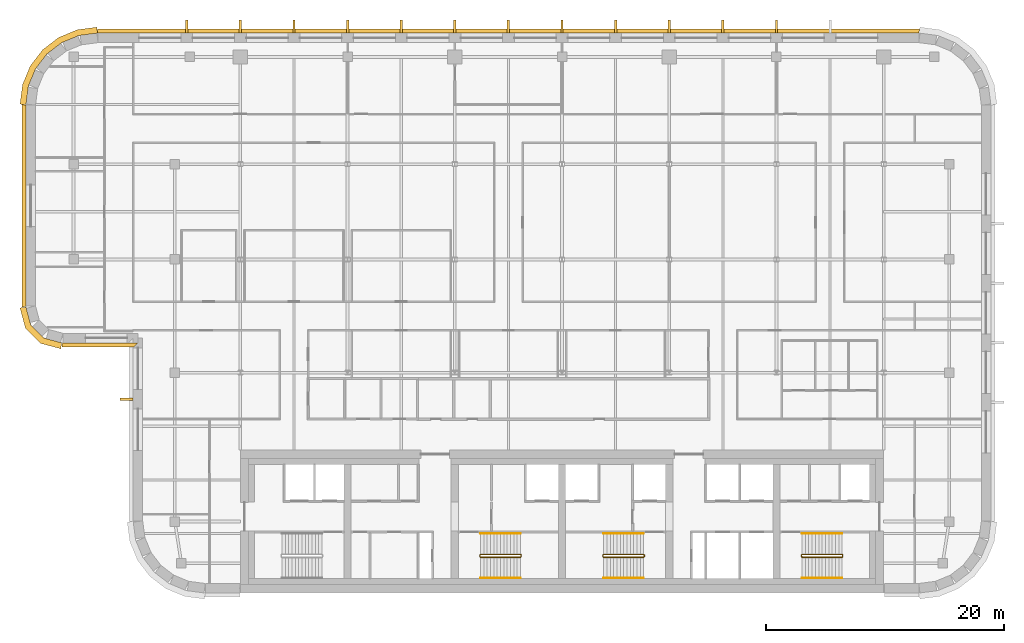
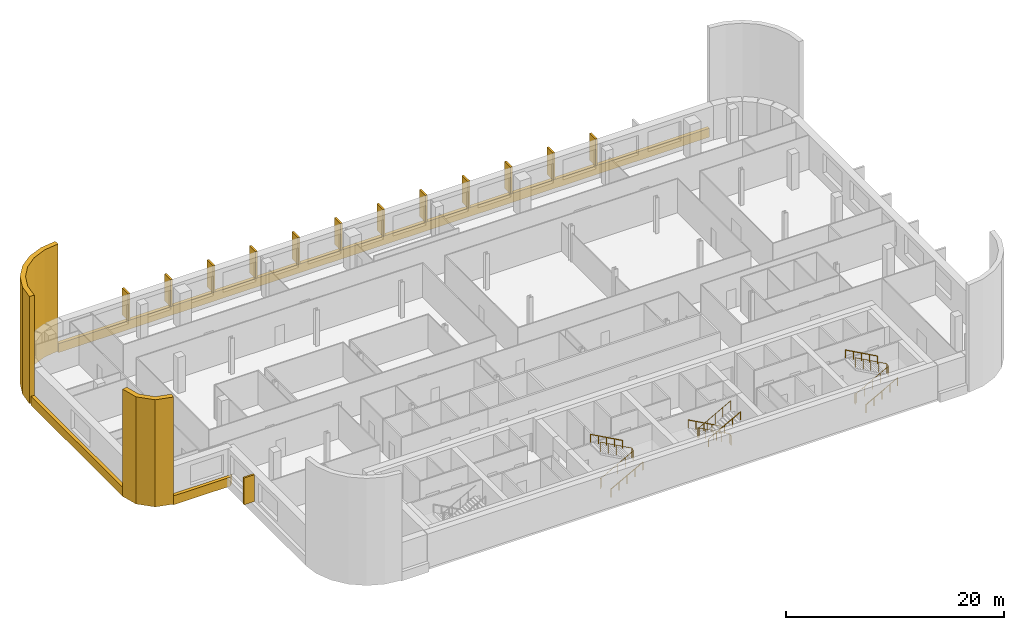
# One storey, part 15 of 17: 18 coverings, 9 railings.
"""IFC4 building model written with IfcOpenShell, lengths in metres."""

from ifc_helpers import new_model, si_unit, direction, frame, origin, origin_2d, place, context, subcontext, project, spatial, polyline, circle, outline, extrude, material, layer, layer_set, type_object, element, save


model = new_model("IFC4")

# Units and contexts
model_context = context("Model", 3, precision=1e-05, world=origin(), true_north=direction((0.0, 1.0)))
body_context = subcontext(model_context, "Body", "Model", "MODEL_VIEW")
ifc_project = project(units=[si_unit("LENGTHUNIT", "METRE"), si_unit("AREAUNIT", "SQUARE_METRE"), si_unit("VOLUMEUNIT", "CUBIC_METRE"), si_unit("PLANEANGLEUNIT", "RADIAN"), si_unit("MASSUNIT", "GRAM", prefix="KILO")], contexts=[model_context])

# Site, building, storey
site_placement = place(None, origin())
site = spatial("IfcSite", under=ifc_project, at=site_placement, CompositionType="ELEMENT")
building_placement = place(site_placement, origin())
building = spatial("IfcBuilding", under=site, at=building_placement, Name="Zellij Exchange Tower", CompositionType="ELEMENT")
storey_placement = place(building_placement, frame((0.0, 0.0, 232.5)))
storey = spatial("IfcBuildingStorey", under=building, at=storey_placement, Name="L54", CompositionType="ELEMENT", Elevation=232.5)

# Railings
ifc_material_1 = material(Name="Stainless steel", Category="steel")
railing_type_1 = type_object("IfcRailingType", Name="CORE-RG stair guard", PredefinedType="GUARDRAIL", material=ifc_material_1)
railing_1_placement = place(storey_placement, frame((-6.89990234375, -10.949951171875, 0.0)))
element("IfcRailing", 1, at=railing_1_placement, inside=storey, type_object=railing_type_1, Name="ST2 stair guard L54", PredefinedType="GUARDRAIL", context=body_context, shape_type="SweptSolid", body=[
    extrude(circle(Radius=0.02392578125, at=origin_2d()), frame((0.0, 0.0, 1.076171875), z_axis=(0.0, 1.0, 0.0), x_axis=(-1.0, 0.0, 0.0)), (0.0, 0.0, 1.0), 0.14990234375),
    extrude(circle(Radius=0.02392578125, at=origin_2d()), frame((0.0, 0.14990234375, 1.076171875), z_axis=(0.193691321961, -0.777613689637, 0.598164376644), x_axis=(0.970351222016, 0.241699205484, 0.0)), (0.0, 0.0, 1.0), 0.257080078125),
    extrude(circle(Radius=0.02392578125, at=origin_2d()), frame((0.0498046875, -0.050048828125, 1.22998046875), z_axis=(0.876421534553, 0.0, 0.481544695509), x_axis=(0.0, 1.0, 0.0)), (0.0, 0.0, 1.0), 3.833984375),
    extrude(circle(Radius=0.02392578125, at=origin_2d()), frame((3.409912109375, -0.050048828125, 3.076171875), z_axis=(0.707106781187, 0.707106781187, 0.0), x_axis=(-0.707106781187, 0.707106781187, 0.0)), (0.0, 0.0, 1.0), 0.07080078125),
    extrude(circle(Radius=0.02392578125, at=origin_2d()), frame((3.4599609375, 0.0, 3.076171875), z_axis=(0.0, 1.0, 0.0), x_axis=(-1.0, 0.0, 0.0)), (0.0, 0.0, 1.0), 0.14990234375),
    extrude(circle(Radius=0.02392578125, at=origin_2d()), frame((3.4599609375, 0.14990234375, 3.076171875), z_axis=(-0.295599637079, 0.295599637079, 0.908428152975), x_axis=(-0.707106781187, -0.707106781187, 0.0)), (0.0, 0.0, 1.0), 0.16943359375),
    extrude(circle(Radius=0.02392578125, at=origin_2d()), frame((3.409912109375, 0.199951171875, 3.22998046875), z_axis=(-0.876421534553, 0.0, 0.481544695509), x_axis=(0.0, -1.0, 0.0)), (0.0, 0.0, 1.0), 3.833984375),
    extrude(circle(Radius=0.02099609375, at=origin_2d()), origin(), (0.0, 0.0, 1.0), 1.052001953125),
    extrude(circle(Radius=0.02099609375, at=origin_2d()), frame((0.0, 0.14990234375, 0.0)), (0.0, 0.0, 1.0), 1.052001953125),
    extrude(circle(Radius=0.02099609375, at=origin_2d()), frame((0.0498046875, -0.050048828125, 0.15380859375)), (0.0, 0.0, 1.0), 1.052001953125),
    extrude(circle(Radius=0.02099609375, at=origin_2d()), frame((0.889892578125, -0.050048828125, 0.615234375)), (0.0, 0.0, 1.0), 1.052001953125),
    extrude(circle(Radius=0.02099609375, at=origin_2d()), frame((1.72998046875, -0.050048828125, 1.076904296875)), (0.0, 0.0, 1.0), 1.052001953125),
    extrude(circle(Radius=0.02099609375, at=origin_2d()), frame((2.56982421875, -0.050048828125, 1.53857421875)), (0.0, 0.0, 1.0), 1.052001953125),
    extrude(circle(Radius=0.02099609375, at=origin_2d()), frame((3.409912109375, -0.050048828125, 2.0)), (0.0, 0.0, 1.0), 1.052001953125),
    extrude(circle(Radius=0.02099609375, at=origin_2d()), frame((3.4599609375, 0.0, 2.0)), (0.0, 0.0, 1.0), 1.052001953125),
    extrude(circle(Radius=0.02099609375, at=origin_2d()), frame((3.4599609375, 0.14990234375, 2.0)), (0.0, 0.0, 1.0), 1.052001953125),
    extrude(circle(Radius=0.02099609375, at=origin_2d()), frame((3.409912109375, 0.199951171875, 2.15380859375)), (0.0, 0.0, 1.0), 1.052001953125),
    extrude(circle(Radius=0.02099609375, at=origin_2d()), frame((2.56982421875, 0.199951171875, 2.615234375)), (0.0, 0.0, 1.0), 1.052001953125),
    extrude(circle(Radius=0.02099609375, at=origin_2d()), frame((1.72998046875, 0.199951171875, 3.076904296875)), (0.0, 0.0, 1.0), 1.052001953125),
    extrude(circle(Radius=0.02099609375, at=origin_2d()), frame((0.889892578125, 0.199951171875, 3.53857421875)), (0.0, 0.0, 1.0), 1.052001953125),
    extrude(circle(Radius=0.02099609375, at=origin_2d()), frame((0.0498046875, 0.199951171875, 4.0)), (0.0, 0.0, 1.0), 1.052001953125),
])
railing_2_placement = place(storey_placement, frame((6.89990234375, -10.800048828125, 0.0)))
element("IfcRailing", 2, at=railing_2_placement, inside=storey, type_object=railing_type_1, Name="ST3 stair guard L54", PredefinedType="GUARDRAIL", context=body_context, shape_type="SweptSolid", body=[
    extrude(circle(Radius=0.02392578125, at=origin_2d()), frame((0.0, 0.0, 1.076171875), z_axis=(0.0, -1.0, 0.0), x_axis=(1.0, 0.0, 0.0)), (0.0, 0.0, 1.0), 0.14990234375),
    extrude(circle(Radius=0.02392578125, at=origin_2d()), frame((0.0, -0.14990234375, 1.076171875), z_axis=(-0.193691321961, 0.777613689637, 0.598164376644), x_axis=(-0.970351222016, -0.241699205484, 0.0)), (0.0, 0.0, 1.0), 0.257080078125),
    extrude(circle(Radius=0.02392578125, at=origin_2d()), frame((-0.0498046875, 0.050048828125, 1.22998046875), z_axis=(-0.876421534553, 0.0, 0.481544695509), x_axis=(0.0, -1.0, 0.0)), (0.0, 0.0, 1.0), 3.833984375),
    extrude(circle(Radius=0.02392578125, at=origin_2d()), frame((-3.409912109375, 0.050048828125, 3.076171875), z_axis=(-0.707106781187, -0.707106781187, 0.0), x_axis=(0.707106781187, -0.707106781187, 0.0)), (0.0, 0.0, 1.0), 0.07080078125),
    extrude(circle(Radius=0.02392578125, at=origin_2d()), frame((-3.4599609375, 0.0, 3.076171875), z_axis=(0.0, -1.0, 0.0), x_axis=(1.0, 0.0, 0.0)), (0.0, 0.0, 1.0), 0.14990234375),
    extrude(circle(Radius=0.02392578125, at=origin_2d()), frame((-3.4599609375, -0.14990234375, 3.076171875), z_axis=(0.295599637079, -0.295599637079, 0.908428152975), x_axis=(0.707106781187, 0.707106781187, 0.0)), (0.0, 0.0, 1.0), 0.16943359375),
    extrude(circle(Radius=0.02392578125, at=origin_2d()), frame((-3.409912109375, -0.199951171875, 3.22998046875), z_axis=(0.876421534553, 0.0, 0.481544695509), x_axis=(0.0, 1.0, 0.0)), (0.0, 0.0, 1.0), 3.833984375),
    extrude(circle(Radius=0.02099609375, at=origin_2d()), origin(), (0.0, 0.0, 1.0), 1.052001953125),
    extrude(circle(Radius=0.02099609375, at=origin_2d()), frame((0.0, -0.14990234375, 0.0)), (0.0, 0.0, 1.0), 1.052001953125),
    extrude(circle(Radius=0.02099609375, at=origin_2d()), frame((-0.0498046875, 0.050048828125, 0.15380859375)), (0.0, 0.0, 1.0), 1.052001953125),
    extrude(circle(Radius=0.02099609375, at=origin_2d()), frame((-0.889892578125, 0.050048828125, 0.615234375)), (0.0, 0.0, 1.0), 1.052001953125),
    extrude(circle(Radius=0.02099609375, at=origin_2d()), frame((-1.72998046875, 0.050048828125, 1.076904296875)), (0.0, 0.0, 1.0), 1.052001953125),
    extrude(circle(Radius=0.02099609375, at=origin_2d()), frame((-2.56982421875, 0.050048828125, 1.53857421875)), (0.0, 0.0, 1.0), 1.052001953125),
    extrude(circle(Radius=0.02099609375, at=origin_2d()), frame((-3.409912109375, 0.050048828125, 2.0)), (0.0, 0.0, 1.0), 1.052001953125),
    extrude(circle(Radius=0.02099609375, at=origin_2d()), frame((-3.4599609375, 0.0, 2.0)), (0.0, 0.0, 1.0), 1.052001953125),
    extrude(circle(Radius=0.02099609375, at=origin_2d()), frame((-3.4599609375, -0.14990234375, 2.0)), (0.0, 0.0, 1.0), 1.052001953125),
    extrude(circle(Radius=0.02099609375, at=origin_2d()), frame((-3.409912109375, -0.199951171875, 2.15380859375)), (0.0, 0.0, 1.0), 1.052001953125),
    extrude(circle(Radius=0.02099609375, at=origin_2d()), frame((-2.56982421875, -0.199951171875, 2.615234375)), (0.0, 0.0, 1.0), 1.052001953125),
    extrude(circle(Radius=0.02099609375, at=origin_2d()), frame((-1.72998046875, -0.199951171875, 3.076904296875)), (0.0, 0.0, 1.0), 1.052001953125),
    extrude(circle(Radius=0.02099609375, at=origin_2d()), frame((-0.889892578125, -0.199951171875, 3.53857421875)), (0.0, 0.0, 1.0), 1.052001953125),
    extrude(circle(Radius=0.02099609375, at=origin_2d()), frame((-0.0498046875, -0.199951171875, 4.0)), (0.0, 0.0, 1.0), 1.052001953125),
])
railing_3_placement = place(storey_placement, frame((20.10009765625, -10.949951171875, 0.0)))
element("IfcRailing", 3, at=railing_3_placement, inside=storey, type_object=railing_type_1, Name="ST4 stair guard L54", PredefinedType="GUARDRAIL", context=body_context, shape_type="SweptSolid", body=[
    extrude(circle(Radius=0.02392578125, at=origin_2d()), frame((0.0, 0.0, 1.076171875), z_axis=(0.0, 1.0, 0.0), x_axis=(-1.0, 0.0, 0.0)), (0.0, 0.0, 1.0), 0.14990234375),
    extrude(circle(Radius=0.02392578125, at=origin_2d()), frame((0.0, 0.14990234375, 1.076171875), z_axis=(0.193691321961, -0.777613689637, 0.598164376644), x_axis=(0.970351222016, 0.241699205484, 0.0)), (0.0, 0.0, 1.0), 0.257080078125),
    extrude(circle(Radius=0.02392578125, at=origin_2d()), frame((0.0498046875, -0.050048828125, 1.22998046875), z_axis=(0.876421534553, 0.0, 0.481544695509), x_axis=(0.0, 1.0, 0.0)), (0.0, 0.0, 1.0), 3.833984375),
    extrude(circle(Radius=0.02392578125, at=origin_2d()), frame((3.409912109375, -0.050048828125, 3.076171875), z_axis=(0.707106781187, 0.707106781187, 0.0), x_axis=(-0.707106781187, 0.707106781187, 0.0)), (0.0, 0.0, 1.0), 0.07080078125),
    extrude(circle(Radius=0.02392578125, at=origin_2d()), frame((3.4599609375, 0.0, 3.076171875), z_axis=(0.0, 1.0, 0.0), x_axis=(-1.0, 0.0, 0.0)), (0.0, 0.0, 1.0), 0.14990234375),
    extrude(circle(Radius=0.02392578125, at=origin_2d()), frame((3.4599609375, 0.14990234375, 3.076171875), z_axis=(-0.295599637079, 0.295599637079, 0.908428152975), x_axis=(-0.707106781187, -0.707106781187, 0.0)), (0.0, 0.0, 1.0), 0.16943359375),
    extrude(circle(Radius=0.02392578125, at=origin_2d()), frame((3.409912109375, 0.199951171875, 3.22998046875), z_axis=(-0.876421534553, 0.0, 0.481544695509), x_axis=(0.0, -1.0, 0.0)), (0.0, 0.0, 1.0), 3.833984375),
    extrude(circle(Radius=0.02099609375, at=origin_2d()), origin(), (0.0, 0.0, 1.0), 1.052001953125),
    extrude(circle(Radius=0.02099609375, at=origin_2d()), frame((0.0, 0.14990234375, 0.0)), (0.0, 0.0, 1.0), 1.052001953125),
    extrude(circle(Radius=0.02099609375, at=origin_2d()), frame((0.0498046875, -0.050048828125, 0.15380859375)), (0.0, 0.0, 1.0), 1.052001953125),
    extrude(circle(Radius=0.02099609375, at=origin_2d()), frame((0.889892578125, -0.050048828125, 0.615234375)), (0.0, 0.0, 1.0), 1.052001953125),
    extrude(circle(Radius=0.02099609375, at=origin_2d()), frame((1.72998046875, -0.050048828125, 1.076904296875)), (0.0, 0.0, 1.0), 1.052001953125),
    extrude(circle(Radius=0.02099609375, at=origin_2d()), frame((2.56982421875, -0.050048828125, 1.53857421875)), (0.0, 0.0, 1.0), 1.052001953125),
    extrude(circle(Radius=0.02099609375, at=origin_2d()), frame((3.409912109375, -0.050048828125, 2.0)), (0.0, 0.0, 1.0), 1.052001953125),
    extrude(circle(Radius=0.02099609375, at=origin_2d()), frame((3.4599609375, 0.0, 2.0)), (0.0, 0.0, 1.0), 1.052001953125),
    extrude(circle(Radius=0.02099609375, at=origin_2d()), frame((3.4599609375, 0.14990234375, 2.0)), (0.0, 0.0, 1.0), 1.052001953125),
    extrude(circle(Radius=0.02099609375, at=origin_2d()), frame((3.409912109375, 0.199951171875, 2.15380859375)), (0.0, 0.0, 1.0), 1.052001953125),
    extrude(circle(Radius=0.02099609375, at=origin_2d()), frame((2.56982421875, 0.199951171875, 2.615234375)), (0.0, 0.0, 1.0), 1.052001953125),
    extrude(circle(Radius=0.02099609375, at=origin_2d()), frame((1.72998046875, 0.199951171875, 3.076904296875)), (0.0, 0.0, 1.0), 1.052001953125),
    extrude(circle(Radius=0.02099609375, at=origin_2d()), frame((0.889892578125, 0.199951171875, 3.53857421875)), (0.0, 0.0, 1.0), 1.052001953125),
    extrude(circle(Radius=0.02099609375, at=origin_2d()), frame((0.0498046875, 0.199951171875, 4.0)), (0.0, 0.0, 1.0), 1.052001953125),
])
railing_type_2 = type_object("IfcRailingType", Name="CORE-RH stair handrail", PredefinedType="HANDRAIL", material=ifc_material_1)
railing_4_placement = place(storey_placement, frame((-6.85009765625, -12.75, 0.15380859375)))
element("IfcRailing", 4, at=railing_4_placement, inside=storey, type_object=railing_type_2, Name="ST2 stair handrail L54", PredefinedType="HANDRAIL", context=body_context, shape_type="SweptSolid", body=[
    extrude(circle(Radius=0.02392578125, at=origin_2d()), frame((0.0, 0.0, 0.8759765625), z_axis=(0.876421534553, 0.0, 0.481544695509), x_axis=(0.0, 1.0, 0.0)), (0.0, 0.0, 1.0), 3.833984375),
    extrude(circle(Radius=0.02099609375, at=origin_2d()), origin(), (0.0, 0.0, 1.0), 0.851806640625),
    extrude(circle(Radius=0.02099609375, at=origin_2d()), frame((0.840087890625, 0.0, 0.46142578125)), (0.0, 0.0, 1.0), 0.851806640625),
    extrude(circle(Radius=0.02099609375, at=origin_2d()), frame((1.68017578125, 0.0, 0.923095703125)), (0.0, 0.0, 1.0), 0.851806640625),
    extrude(circle(Radius=0.02099609375, at=origin_2d()), frame((2.52001953125, 0.0, 1.384765625)), (0.0, 0.0, 1.0), 0.851806640625),
    extrude(circle(Radius=0.02099609375, at=origin_2d()), frame((3.360107421875, 0.0, 1.84619140625)), (0.0, 0.0, 1.0), 0.851806640625),
])
for number, where, name in (
    (5, (-3.489990234375, -9.0, 2.15380859375), "ST2 stair handrail L54"),
    (6, (6.85009765625, -9.0, 0.15380859375), "ST3 stair handrail L54"),
):
    element("IfcRailing", number, at=place(storey_placement, frame(where)), inside=storey, type_object=railing_type_2, Name=name, PredefinedType="HANDRAIL", context=body_context, shape_type="SweptSolid", body=[
        extrude(circle(Radius=0.02392578125, at=origin_2d()), frame((0.0, 0.0, 0.8759765625), z_axis=(-0.876421534553, 0.0, 0.481544695509), x_axis=(0.0, -1.0, 0.0)), (0.0, 0.0, 1.0), 3.833984375),
        extrude(circle(Radius=0.02099609375, at=origin_2d()), origin(), (0.0, 0.0, 1.0), 0.851806640625),
        extrude(circle(Radius=0.02099609375, at=origin_2d()), frame((-0.840087890625, 0.0, 0.46142578125)), (0.0, 0.0, 1.0), 0.851806640625),
        extrude(circle(Radius=0.02099609375, at=origin_2d()), frame((-1.68017578125, 0.0, 0.923095703125)), (0.0, 0.0, 1.0), 0.851806640625),
        extrude(circle(Radius=0.02099609375, at=origin_2d()), frame((-2.52001953125, 0.0, 1.384765625)), (0.0, 0.0, 1.0), 0.851806640625),
        extrude(circle(Radius=0.02099609375, at=origin_2d()), frame((-3.360107421875, 0.0, 1.84619140625)), (0.0, 0.0, 1.0), 0.851806640625),
    ])
for number, where, name in (
    (7, (3.489990234375, -12.75, 2.15380859375), "ST3 stair handrail L54"),
    (8, (20.14990234375, -12.75, 0.15380859375), "ST4 stair handrail L54"),
):
    element("IfcRailing", number, at=place(storey_placement, frame(where)), inside=storey, type_object=railing_type_2, Name=name, PredefinedType="HANDRAIL", context=body_context, shape_type="SweptSolid", body=[
        extrude(circle(Radius=0.02392578125, at=origin_2d()), frame((0.0, 0.0, 0.8759765625), z_axis=(0.876421534553, 0.0, 0.481544695509), x_axis=(0.0, 1.0, 0.0)), (0.0, 0.0, 1.0), 3.833984375),
        extrude(circle(Radius=0.02099609375, at=origin_2d()), origin(), (0.0, 0.0, 1.0), 0.851806640625),
        extrude(circle(Radius=0.02099609375, at=origin_2d()), frame((0.840087890625, 0.0, 0.46142578125)), (0.0, 0.0, 1.0), 0.851806640625),
        extrude(circle(Radius=0.02099609375, at=origin_2d()), frame((1.68017578125, 0.0, 0.923095703125)), (0.0, 0.0, 1.0), 0.851806640625),
        extrude(circle(Radius=0.02099609375, at=origin_2d()), frame((2.52001953125, 0.0, 1.384765625)), (0.0, 0.0, 1.0), 0.851806640625),
        extrude(circle(Radius=0.02099609375, at=origin_2d()), frame((3.360107421875, 0.0, 1.84619140625)), (0.0, 0.0, 1.0), 0.851806640625),
    ])
railing_5_placement = place(storey_placement, frame((23.510009765625, -9.0, 2.15380859375)))
element("IfcRailing", 9, at=railing_5_placement, inside=storey, type_object=railing_type_2, Name="ST4 stair handrail L54", PredefinedType="HANDRAIL", context=body_context, shape_type="SweptSolid", body=[
    extrude(circle(Radius=0.02392578125, at=origin_2d()), frame((0.0, 0.0, 0.8759765625), z_axis=(-0.876421534553, 0.0, 0.481544695509), x_axis=(0.0, -1.0, 0.0)), (0.0, 0.0, 1.0), 3.833984375),
    extrude(circle(Radius=0.02099609375, at=origin_2d()), origin(), (0.0, 0.0, 1.0), 0.851806640625),
    extrude(circle(Radius=0.02099609375, at=origin_2d()), frame((-0.840087890625, 0.0, 0.46142578125)), (0.0, 0.0, 1.0), 0.851806640625),
    extrude(circle(Radius=0.02099609375, at=origin_2d()), frame((-1.68017578125, 0.0, 0.923095703125)), (0.0, 0.0, 1.0), 0.851806640625),
    extrude(circle(Radius=0.02099609375, at=origin_2d()), frame((-2.52001953125, 0.0, 1.384765625)), (0.0, 0.0, 1.0), 0.851806640625),
    extrude(circle(Radius=0.02099609375, at=origin_2d()), frame((-3.360107421875, 0.0, 1.84619140625)), (0.0, 0.0, 1.0), 0.851806640625),
])

# Coverings
ifc_material_2 = material(Name="Limestone cladding", Category="masonry")
ifc_layer_1 = layer(ifc_material_2, 0.35009765625)
ifc_layer_set_1 = layer_set([ifc_layer_1], Name="Limestone cladding")
covering_type_1 = type_object("IfcCoveringType", Name="ENV-CV10 Stone spandrel band 350", PredefinedType="CLADDING", material=ifc_layer_set_1)
covering_1_placement = place(storey_placement, frame((0.0, 0.0, -0.199951171875)))
element("IfcCovering", 10, at=covering_1_placement, inside=storey, type_object=covering_type_1, Name="Stone spandrel band", PredefinedType="CLADDING", context=body_context, shape_type="SweptSolid", body=[
    extrude(outline(polyline([(29.973876953125, 33.0), (-38.973876953125, 33.0), (-38.99658203125, 33.35009765625), (29.99658203125, 33.35009765625), (29.973876953125, 33.0)])), origin(), (0.0, 0.0, 1.0), 1.0),
])
covering_2_placement = place(storey_placement, frame((0.0, 0.0, -0.199951171875)))
element("IfcCovering", 11, at=covering_2_placement, inside=storey, type_object=covering_type_1, Name="Stone spandrel band", PredefinedType="CLADDING", context=body_context, shape_type="SweptSolid", body=[
    extrude(outline(polyline([(-45.0, 26.973876953125), (-45.0, 10.052734375), (-45.35009765625, 10.006591796875), (-45.35009765625, 26.99658203125), (-45.0, 26.973876953125)])), origin(), (0.0, 0.0, 1.0), 1.0),
])
covering_3_placement = place(storey_placement, frame((0.0, 0.0, -0.199951171875)))
element("IfcCovering", 12, at=covering_3_placement, inside=storey, type_object=covering_type_1, Name="Stone spandrel band", PredefinedType="CLADDING", context=body_context, shape_type="SweptSolid", body=[
    extrude(outline(polyline([(-41.947265625, 7.0), (-35.60009765625, 7.0), (-35.949951171875, 6.64990234375), (-41.993408203125, 6.64990234375), (-41.947265625, 7.0)])), origin(), (0.0, 0.0, 1.0), 1.0),
])
ifc_layer_2 = layer(ifc_material_2, 0.5)
ifc_layer_set_2 = layer_set([ifc_layer_2], Name="Limestone cladding")
covering_type_2 = type_object("IfcCoveringType", Name="ENV-CV12 Stone corner pier 500", PredefinedType="CLADDING", material=ifc_layer_set_2)
covering_4_placement = place(storey_placement, origin())
element("IfcCovering", 13, at=covering_4_placement, inside=storey, type_object=covering_type_2, Name="Stone corner pier", PredefinedType="CLADDING", context=body_context, shape_type="SweptSolid", body=[
    extrude(outline(polyline([(-39.0, 33.0), (-40.552978515625, 32.795654296875), (-42.0, 32.1962890625), (-43.24267578125, 31.24267578125), (-44.1962890625, 30.0), (-44.795654296875, 28.552978515625), (-45.0, 27.0), (-45.5, 27.03271484375), (-45.28271484375, 28.683349609375), (-44.6328125, 30.252197265625), (-43.59912109375, 31.59912109375), (-42.252197265625, 32.6328125), (-40.683349609375, 33.28271484375), (-39.03271484375, 33.5), (-39.0, 33.0)])), origin(), (0.0, 0.0, 1.0), 12.0),
])
covering_5_placement = place(storey_placement, origin())
element("IfcCovering", 14, at=covering_5_placement, inside=storey, type_object=covering_type_2, Name="Stone corner pier", PredefinedType="CLADDING", context=body_context, shape_type="SweptSolid", body=[
    extrude(outline(polyline([(-45.0, 10.0), (-44.59814453125, 8.5), (-43.5, 7.40185546875), (-42.0, 7.0), (-42.06591796875, 6.5), (-43.7587890625, 6.95361328125), (-45.04638671875, 8.2412109375), (-45.5, 9.93408203125), (-45.0, 10.0)])), origin(), (0.0, 0.0, 1.0), 12.0),
])
covering_type_3 = type_object("IfcCoveringType", Name="ENV-CV6 Stone pier 200x1100", PredefinedType="CLADDING", material=ifc_material_2)
covering_6_placement = place(storey_placement, frame((0.0, 0.0, 0.800048828125)))
element("IfcCovering", 15, at=covering_6_placement, inside=storey, type_object=covering_type_3, Name="Stone pier", PredefinedType="CLADDING", context=body_context, shape_type="SweptSolid", body=[
    extrude(outline(polyline([(18.10009765625, 33.0), (17.89990234375, 33.0), (17.89990234375, 34.10009765625), (18.10009765625, 34.10009765625), (18.10009765625, 33.0)])), origin(), (0.0, 0.0, 1.0), 3.0),
])
covering_7_placement = place(storey_placement, frame((0.0, 0.0, 0.800048828125)))
element("IfcCovering", 16, at=covering_7_placement, inside=storey, type_object=covering_type_3, Name="Stone pier", PredefinedType="CLADDING", context=body_context, shape_type="SweptSolid", body=[
    extrude(outline(polyline([(13.60009765625, 33.0), (13.39990234375, 33.0), (13.39990234375, 34.10009765625), (13.60009765625, 34.10009765625), (13.60009765625, 33.0)])), origin(), (0.0, 0.0, 1.0), 3.0),
])
covering_8_placement = place(storey_placement, frame((0.0, 0.0, 0.800048828125)))
element("IfcCovering", 17, at=covering_8_placement, inside=storey, type_object=covering_type_3, Name="Stone pier", PredefinedType="CLADDING", context=body_context, shape_type="SweptSolid", body=[
    extrude(outline(polyline([(9.10009765625, 33.0), (8.89990234375, 33.0), (8.89990234375, 34.10009765625), (9.10009765625, 34.10009765625), (9.10009765625, 33.0)])), origin(), (0.0, 0.0, 1.0), 3.0),
])
covering_9_placement = place(storey_placement, frame((0.0, 0.0, 0.800048828125)))
element("IfcCovering", 18, at=covering_9_placement, inside=storey, type_object=covering_type_3, Name="Stone pier", PredefinedType="CLADDING", context=body_context, shape_type="SweptSolid", body=[
    extrude(outline(polyline([(4.60009765625, 33.0), (4.39990234375, 33.0), (4.39990234375, 34.10009765625), (4.60009765625, 34.10009765625), (4.60009765625, 33.0)])), origin(), (0.0, 0.0, 1.0), 3.0),
])
covering_10_placement = place(storey_placement, frame((0.0, 0.0, 0.800048828125)))
element("IfcCovering", 19, at=covering_10_placement, inside=storey, type_object=covering_type_3, Name="Stone pier", PredefinedType="CLADDING", context=body_context, shape_type="SweptSolid", body=[
    extrude(outline(polyline([(0.10009765625, 33.0), (-0.10009765625, 33.0), (-0.10009765625, 34.10009765625), (0.10009765625, 34.10009765625), (0.10009765625, 33.0)])), origin(), (0.0, 0.0, 1.0), 3.0),
])
covering_11_placement = place(storey_placement, frame((0.0, 0.0, 0.800048828125)))
element("IfcCovering", 20, at=covering_11_placement, inside=storey, type_object=covering_type_3, Name="Stone pier", PredefinedType="CLADDING", context=body_context, shape_type="SweptSolid", body=[
    extrude(outline(polyline([(-4.39990234375, 33.0), (-4.60009765625, 33.0), (-4.60009765625, 34.10009765625), (-4.39990234375, 34.10009765625), (-4.39990234375, 33.0)])), origin(), (0.0, 0.0, 1.0), 3.0),
])
covering_12_placement = place(storey_placement, frame((0.0, 0.0, 0.800048828125)))
element("IfcCovering", 21, at=covering_12_placement, inside=storey, type_object=covering_type_3, Name="Stone pier", PredefinedType="CLADDING", context=body_context, shape_type="SweptSolid", body=[
    extrude(outline(polyline([(-8.89990234375, 33.0), (-9.10009765625, 33.0), (-9.10009765625, 34.10009765625), (-8.89990234375, 34.10009765625), (-8.89990234375, 33.0)])), origin(), (0.0, 0.0, 1.0), 3.0),
])
covering_13_placement = place(storey_placement, frame((0.0, 0.0, 0.800048828125)))
element("IfcCovering", 22, at=covering_13_placement, inside=storey, type_object=covering_type_3, Name="Stone pier", PredefinedType="CLADDING", context=body_context, shape_type="SweptSolid", body=[
    extrude(outline(polyline([(-13.39990234375, 33.0), (-13.60009765625, 33.0), (-13.60009765625, 34.10009765625), (-13.39990234375, 34.10009765625), (-13.39990234375, 33.0)])), origin(), (0.0, 0.0, 1.0), 3.0),
])
covering_14_placement = place(storey_placement, frame((0.0, 0.0, 0.800048828125)))
element("IfcCovering", 23, at=covering_14_placement, inside=storey, type_object=covering_type_3, Name="Stone pier", PredefinedType="CLADDING", context=body_context, shape_type="SweptSolid", body=[
    extrude(outline(polyline([(-17.89990234375, 33.0), (-18.10009765625, 33.0), (-18.10009765625, 34.10009765625), (-17.89990234375, 34.10009765625), (-17.89990234375, 33.0)])), origin(), (0.0, 0.0, 1.0), 3.0),
])
covering_15_placement = place(storey_placement, frame((0.0, 0.0, 0.800048828125)))
element("IfcCovering", 24, at=covering_15_placement, inside=storey, type_object=covering_type_3, Name="Stone pier", PredefinedType="CLADDING", context=body_context, shape_type="SweptSolid", body=[
    extrude(outline(polyline([(-22.39990234375, 33.0), (-22.60009765625, 33.0), (-22.60009765625, 34.10009765625), (-22.39990234375, 34.10009765625), (-22.39990234375, 33.0)])), origin(), (0.0, 0.0, 1.0), 3.0),
])
covering_16_placement = place(storey_placement, frame((0.0, 0.0, 0.800048828125)))
element("IfcCovering", 25, at=covering_16_placement, inside=storey, type_object=covering_type_3, Name="Stone pier", PredefinedType="CLADDING", context=body_context, shape_type="SweptSolid", body=[
    extrude(outline(polyline([(-26.89990234375, 33.0), (-27.10009765625, 33.0), (-27.10009765625, 34.10009765625), (-26.89990234375, 34.10009765625), (-26.89990234375, 33.0)])), origin(), (0.0, 0.0, 1.0), 3.0),
])
covering_17_placement = place(storey_placement, frame((0.0, 0.0, 0.800048828125)))
element("IfcCovering", 26, at=covering_17_placement, inside=storey, type_object=covering_type_3, Name="Stone pier", PredefinedType="CLADDING", context=body_context, shape_type="SweptSolid", body=[
    extrude(outline(polyline([(-31.39990234375, 33.0), (-31.60009765625, 33.0), (-31.60009765625, 34.10009765625), (-31.39990234375, 34.10009765625), (-31.39990234375, 33.0)])), origin(), (0.0, 0.0, 1.0), 3.0),
])
covering_18_placement = place(storey_placement, frame((0.0, 0.0, 0.800048828125)))
element("IfcCovering", 27, at=covering_18_placement, inside=storey, type_object=covering_type_3, Name="Stone pier", PredefinedType="CLADDING", context=body_context, shape_type="SweptSolid", body=[
    extrude(outline(polyline([(-36.0, 2.37548828125), (-36.0, 2.17529296875), (-37.10009765625, 2.17529296875), (-37.10009765625, 2.37548828125), (-36.0, 2.37548828125)])), origin(), (0.0, 0.0, 1.0), 3.0),
])

save(model, "model.ifc")
